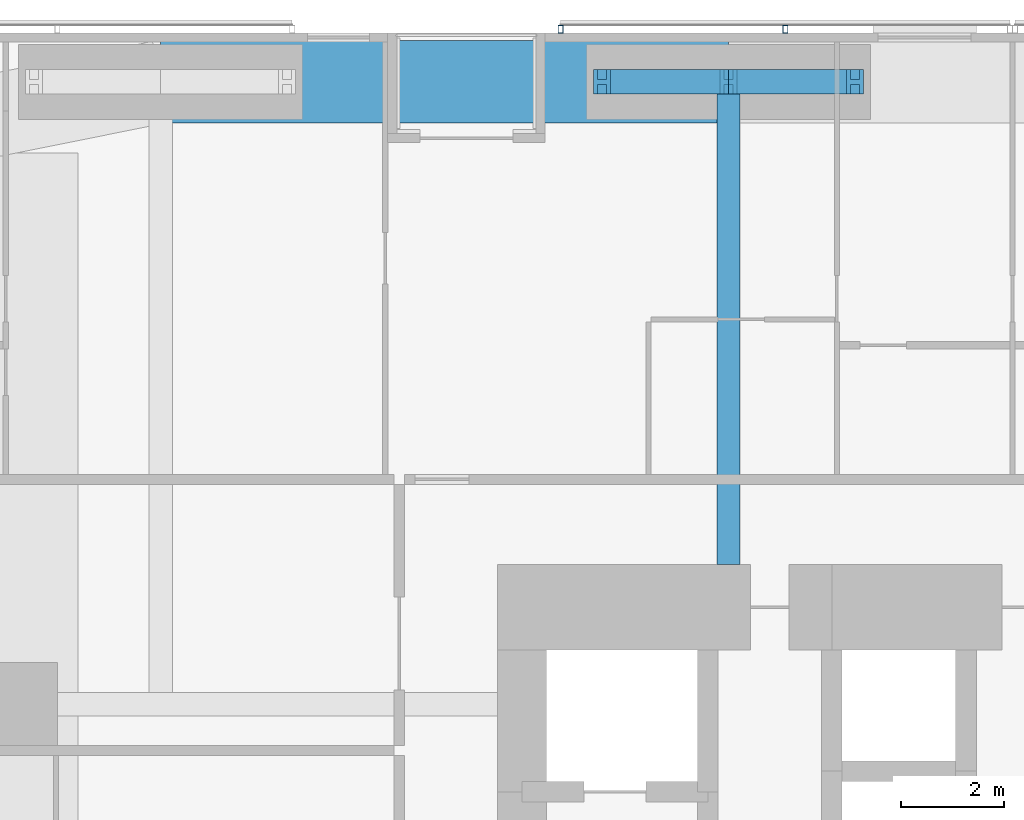
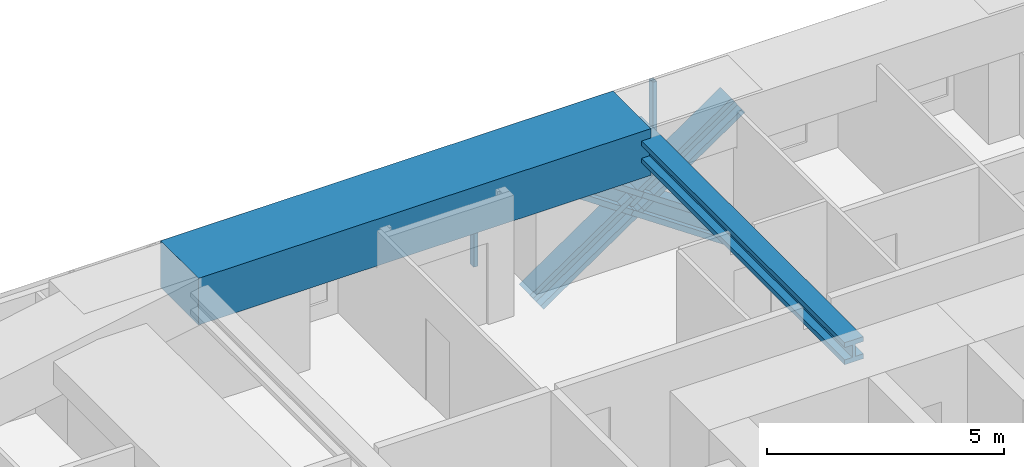
# One storey, part 13 of 24: 6 members, 2 beams, 1 element without a shape of its own.
"""IFC4 building model written with IfcOpenShell, lengths in metres."""

from ifc_helpers import new_model, si_unit, direction, frame, origin, origin_2d, place, context, subcontext, project, spatial, rectangle, hollow_rectangle, i_section, extrude, material, material_profile, profile_set, type_object, element, aggregate, save


model = new_model("IFC4")

# Units and contexts
model_context = context("Model", 3, precision=1e-05, world=origin(), true_north=direction((0.0, 1.0)))
body_context = subcontext(model_context, "Body", "Model", "MODEL_VIEW")
ifc_project = project(units=[si_unit("LENGTHUNIT", "METRE"), si_unit("AREAUNIT", "SQUARE_METRE"), si_unit("VOLUMEUNIT", "CUBIC_METRE"), si_unit("PLANEANGLEUNIT", "RADIAN"), si_unit("MASSUNIT", "GRAM", prefix="KILO")], contexts=[model_context])

# Site, building, storey
site_placement = place(None, origin())
site = spatial("IfcSite", under=ifc_project, at=site_placement, CompositionType="ELEMENT")
building_placement = place(site_placement, origin())
building = spatial("IfcBuilding", under=site, at=building_placement, Name="Jalousie Tower", CompositionType="ELEMENT")
storey_placement = place(building_placement, frame((0.0, 0.0, 54.5)))
storey = spatial("IfcBuildingStorey", under=building, at=storey_placement, Name="L14", CompositionType="ELEMENT", Elevation=54.5)

# Beam
ifc_material_1 = material(Name="Steel ASTM A992 Grade 50", Category="steel")
ifc_material_profile_1 = material_profile(ifc_material_1, i_section(OverallWidth=0.45458984375, OverallDepth=0.569091796875, WebThickness=0.077880859375, FlangeThickness=0.124755859375, at=origin_2d()), Name="W14X730")
ifc_profile_set_1 = profile_set([ifc_material_profile_1], Name="Steel ASTM A992 Grade 50")
beam_type_1 = type_object("IfcBeamType", Name="LEAN COLLECTOR W14X730", PredefinedType="BEAM", material=ifc_profile_set_1)
beam_1_placement = place(storey_placement, frame((24.0, 37.050048828125, 2.825439453125), z_axis=(0.0, -1.0, 0.0), x_axis=(1.0, 0.0, 0.0)))
element("IfcBeam", 1, at=beam_1_placement, inside=storey, type_object=beam_type_1, Name="Lean collector under L15", PredefinedType="BEAM", context=body_context, shape_type="SweptSolid", body=[
    extrude(i_section(OverallWidth=0.45458984375, OverallDepth=0.569091796875, WebThickness=0.077880859375, FlangeThickness=0.124755859375, at=origin_2d()), origin(), (0.0, 0.0, 1.0), 9.35009765625),
])

# Members
ifc_material_2 = material(Name="Steel ASTM A992 Grade 50", Category="steel")
ifc_material_profile_2 = material_profile(ifc_material_2, i_section(OverallWidth=0.472412109375, OverallDepth=0.5791015625, WebThickness=0.094970703125, FlangeThickness=0.1298828125, at=origin_2d()), Name="W14X808")
ifc_profile_set_2 = profile_set([ifc_material_profile_2], Name="Steel ASTM A992 Grade 50")
member_type_1 = type_object("IfcMemberType", Name="PERIMETER BRACE W14X808", PredefinedType="BRACE", material=ifc_profile_set_2)
for number, where, z_axis, x_axis, name in (
    (2, (21.550048828125, 37.050048828125, -0.60009765625), (0.825500916831, 0.0, 0.564400776321), (0.0, 1.0, 0.0), "Perimeter brace 10 L14 part 1"),
    (3, (24.0, 37.050048828125, 1.074951171875), (0.825500916831, 0.0, 0.564400776321), (0.0, 1.0, 0.0), "Perimeter brace 10 L14 part 2"),
    (4, (26.449951171875, 37.050048828125, -0.60009765625), (-0.825500916831, 0.0, 0.564400776321), (0.0, -1.0, 0.0), "Perimeter brace 10 L14 part 3"),
    (5, (24.0, 37.050048828125, 1.074951171875), (-0.825500916831, 0.0, 0.564400776321), (0.0, -1.0, 0.0), "Perimeter brace 10 L14 part 4"),
):
    element("IfcMember", number, at=place(storey_placement, frame(where, z_axis=z_axis, x_axis=x_axis)), inside=storey, type_object=member_type_1, Name=name, PredefinedType="BRACE", context=body_context, shape_type="SweptSolid", body=[
        extrude(i_section(OverallWidth=0.472412109375, OverallDepth=0.5791015625, WebThickness=0.094970703125, FlangeThickness=0.1298828125, at=origin_2d()), origin(), (0.0, 0.0, 1.0), 2.9677734375),
    ])

# Beam
ifc_material_3 = material(Name="Concrete f'c 40 MPa", Category="concrete")
ifc_material_profile_3 = material_profile(ifc_material_3, rectangle(XDim=1.60009765625, YDim=1.199951171875, at=origin_2d()), Name="RC 1600x1200")
ifc_profile_set_3 = profile_set([ifc_material_profile_3], Name="Concrete f'c 40 MPa")
beam_type_2 = type_object("IfcBeamType", Name="RC BEAM 1600x1200", PredefinedType="BEAM", material=ifc_profile_set_3)
beam_2_placement = place(storey_placement, frame((24.0, 37.050048828125, 2.75), z_axis=(-1.0, 0.0, 0.0), x_axis=(0.0, -1.0, 0.0)))
element("IfcBeam", 6, at=beam_2_placement, inside=storey, type_object=beam_type_2, Name="Edge band beam 10-11 under L15", PredefinedType="BEAM", context=body_context, shape_type="SweptSolid", body=[
    extrude(rectangle(XDim=1.60009765625, YDim=1.199951171875, at=origin_2d()), origin(), (0.0, 0.0, 1.0), 11.0),
])

# Curtain wall, members
ifc_material_4 = material(Name="Perforated aluminium sheet", Category="aluminium")
curtain_wall_type = type_object("IfcCurtainWallType", Name="SOLAR SCREEN SS-1", PredefinedType="USERDEFINED", material=ifc_material_4)
curtain_wall_placement = place(storey_placement, origin())
curtain_wall = element("IfcCurtainWall", 7, at=curtain_wall_placement, inside=storey, type_object=curtain_wall_type, Name="Solar screen L14", ObjectType="SOLAR SCREEN SS-1", PredefinedType="USERDEFINED")
ifc_material_5 = material(Name="Steel ASTM A500 Grade C", Category="steel")
ifc_material_profile_4 = material_profile(ifc_material_5, hollow_rectangle(XDim=0.1015625, YDim=0.15234375, WallThickness=0.00634765625, at=origin_2d()), Name="HSS6X4X1/4")
ifc_profile_set_4 = profile_set([ifc_material_profile_4], Name="Steel ASTM A500 Grade C")
member_type_2 = type_object("IfcMemberType", Name="SOLAR SCREEN SS-1 MULLION", PredefinedType="MULLION", material=ifc_profile_set_4)
member_1_placement = place(storey_placement, frame((25.10009765625, 38.0712890625, -0.1201171875), z_axis=(0.0, 0.0, 1.0), x_axis=(-1.0, 0.0, 0.0)))
member_1 = element("IfcMember", 8, at=member_1_placement, type_object=member_type_2, Name="SS1 post 2", PredefinedType="MULLION", context=body_context, shape_type="SweptSolid", body=[
    extrude(hollow_rectangle(XDim=0.1015625, YDim=0.15234375, WallThickness=0.00634765625, at=origin_2d()), origin(), (0.0, 0.0, 1.0), 3.230224609375),
])
member_2_placement = place(storey_placement, frame((20.75, 38.0712890625, -0.1201171875), z_axis=(0.0, 0.0, 1.0), x_axis=(-1.0, 0.0, 0.0)))
member_2 = element("IfcMember", 9, at=member_2_placement, type_object=member_type_2, Name="SS1 post 3", PredefinedType="MULLION", context=body_context, shape_type="SweptSolid", body=[
    extrude(hollow_rectangle(XDim=0.1015625, YDim=0.15234375, WallThickness=0.00634765625, at=origin_2d()), origin(), (0.0, 0.0, 1.0), 3.230224609375),
])
aggregate(curtain_wall, [member_1, member_2])

save(model, "model.ifc")
